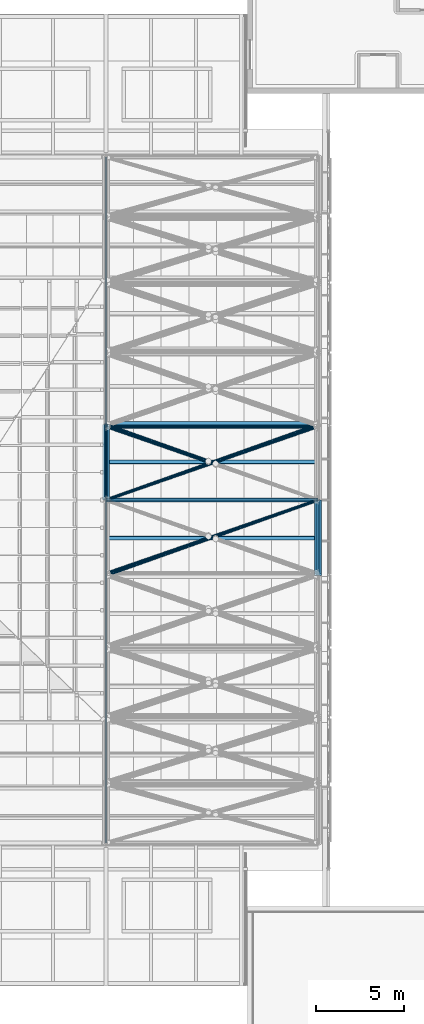
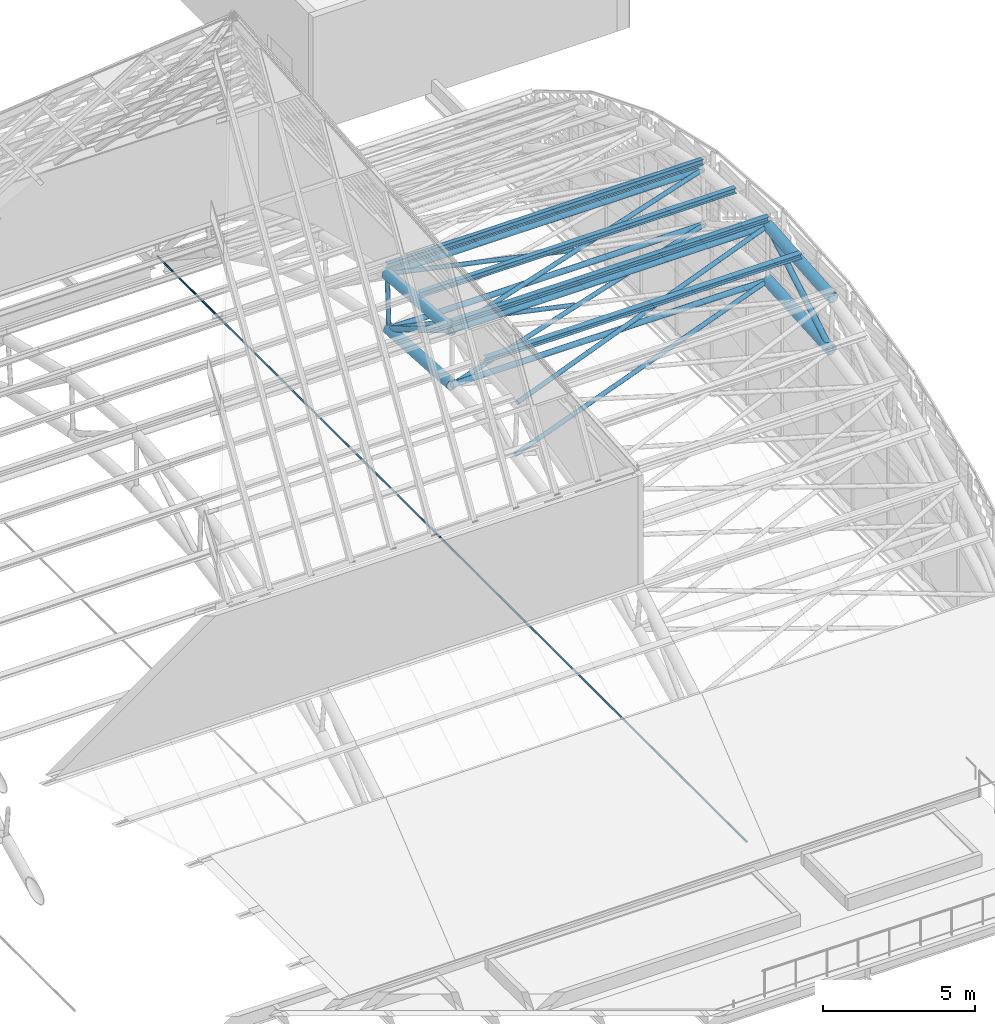
# One storey, part 36 of 110: 22 members.
"""IFC4 building model written with IfcOpenShell, lengths in metres."""

from ifc_helpers import new_model, si_unit, direction, frame, origin, origin_2d, place, context, subcontext, project, spatial, circle, hollow_circle, i_section, extrude, material, material_profile, profile_set, type_object, element, save


model = new_model("IFC4")

# Units and contexts
model_context = context("Model", 3, precision=1e-05, world=origin(), true_north=direction((0.0, 1.0)))
body_context = subcontext(model_context, "Body", "Model", "MODEL_VIEW")
ifc_project = project(units=[si_unit("LENGTHUNIT", "METRE"), si_unit("AREAUNIT", "SQUARE_METRE"), si_unit("VOLUMEUNIT", "CUBIC_METRE"), si_unit("PLANEANGLEUNIT", "RADIAN"), si_unit("MASSUNIT", "GRAM", prefix="KILO")], contexts=[model_context])

# Site, building, storey
site_placement = place(None, origin())
site = spatial("IfcSite", under=ifc_project, at=site_placement, CompositionType="ELEMENT")
building_placement = place(site_placement, origin())
building = spatial("IfcBuilding", under=site, at=building_placement, Name="Windward Yard Aquatics Centre", CompositionType="ELEMENT")
storey_placement = place(building_placement, frame((0.0, 0.0, 22.60009765625)))
storey = spatial("IfcBuildingStorey", under=building, at=storey_placement, Name="L05", CompositionType="ELEMENT", Elevation=22.60009765625)

# Members
ifc_material_1 = material(Name="Steel ASTM A500 Gr C", Category="steel")
ifc_material_profile_1 = material_profile(ifc_material_1, hollow_circle(Radius=0.084228515625, WallThickness=0.010986328125, at=origin_2d()), Name="HSS168.3X11")
ifc_profile_set_1 = profile_set([ifc_material_profile_1], Name="Steel ASTM A500 Gr C")
member_type_1 = type_object("IfcMemberType", Name="H arch post HSS168.3X11", PredefinedType="POST", material=ifc_profile_set_1)
member_1_placement = place(storey_placement, frame((132.0, 65.16064453125, 6.323486328125), z_axis=(0.0, 0.050215263417, 0.998738417865), x_axis=(-1.0, 0.0, 0.0)))
element("IfcMember", 1, at=member_1_placement, inside=storey, type_object=member_type_1, Name="H.AT.7.WP07", PredefinedType="POST", context=body_context, shape_type="SweptSolid", body=[
    extrude(hollow_circle(Radius=0.084228515625, WallThickness=0.010986328125, at=origin_2d()), origin(), (0.0, 0.0, 1.0), 2.14892578125),
])
ifc_material_profile_2 = material_profile(ifc_material_1, hollow_circle(Radius=0.203125, WallThickness=0.015869140625, at=origin_2d()), Name="HSS406.4X15.9")
ifc_profile_set_2 = profile_set([ifc_material_profile_2], Name="Steel ASTM A500 Gr C")
member_type_2 = type_object("IfcMemberType", Name="H arch top chord HSS406.4X15.9", PredefinedType="CHORD", material=ifc_profile_set_2)
member_2_placement = place(storey_placement, frame((132.0, 61.0, 8.796630859375), z_axis=(0.0, 0.997080259355, -0.076360699341), x_axis=(-1.0, 0.0, 0.0)))
element("IfcMember", 2, at=member_2_placement, inside=storey, type_object=member_type_2, Name="H.AT.7.TC06", PredefinedType="CHORD", context=body_context, shape_type="SweptSolid", body=[
    extrude(hollow_circle(Radius=0.203125, WallThickness=0.015869140625, at=origin_2d()), origin(), (0.0, 0.0, 1.0), 4.281005859375),
])
member_3_placement = place(storey_placement, frame((132.0, 61.0, 6.5966796875), z_axis=(0.0, 0.997851241995, -0.065520217098), x_axis=(-1.0, 0.0, 0.0)))
element("IfcMember", 3, at=member_3_placement, inside=storey, type_object=member_type_2, Name="H.AT.7.BC06", PredefinedType="CHORD", context=body_context, shape_type="SweptSolid", body=[
    extrude(hollow_circle(Radius=0.203125, WallThickness=0.015869140625, at=origin_2d()), origin(), (0.0, 0.0, 1.0), 4.169677734375),
])
member_4_placement = place(storey_placement, frame((144.0, 56.7314453125, 8.4697265625), z_axis=(0.0, 0.997080259355, 0.076360699341), x_axis=(-1.0, 0.0, 0.0)))
element("IfcMember", 4, at=member_4_placement, inside=storey, type_object=member_type_2, Name="H.AT.8.TC05", PredefinedType="CHORD", context=body_context, shape_type="SweptSolid", body=[
    extrude(hollow_circle(Radius=0.203125, WallThickness=0.015869140625, at=origin_2d()), origin(), (0.0, 0.0, 1.0), 4.281005859375),
])
member_5_placement = place(storey_placement, frame((144.0, 56.83935546875, 6.323486328125), z_axis=(0.0, 0.997851241995, 0.065520217098), x_axis=(-1.0, 0.0, 0.0)))
element("IfcMember", 5, at=member_5_placement, inside=storey, type_object=member_type_2, Name="H.AT.8.BC05", PredefinedType="CHORD", context=body_context, shape_type="SweptSolid", body=[
    extrude(hollow_circle(Radius=0.203125, WallThickness=0.015869140625, at=origin_2d()), origin(), (0.0, 0.0, 1.0), 4.169677734375),
])
ifc_material_profile_3 = material_profile(ifc_material_1, hollow_circle(Radius=0.109619140625, WallThickness=0.00830078125, at=origin_2d()), Name="HSS219.1X8.2")
ifc_profile_set_3 = profile_set([ifc_material_profile_3], Name="Steel ASTM A500 Gr C")
member_type_3 = type_object("IfcMemberType", Name="H arch web diagonal HSS219.1X8.2", PredefinedType="BRACE", material=ifc_profile_set_3)
for number, where, z_axis, x_axis, name in (
    (6, (132.0, 61.0, 8.796630859375), (0.0, 0.859604150376, -0.51096057055), (-1.0, 0.0, 0.0), "H.AT.7.WD06"),
    (7, (144.0, 56.83935546875, 6.323486328125), (0.0, 0.859604150376, 0.51096057055), (-1.0, 0.0, 0.0), "H.AT.8.WD05"),
):
    element("IfcMember", number, at=place(storey_placement, frame(where, z_axis=z_axis, x_axis=x_axis)), inside=storey, type_object=member_type_3, Name=name, PredefinedType="BRACE", context=body_context, shape_type="SweptSolid", body=[
        extrude(hollow_circle(Radius=0.109619140625, WallThickness=0.00830078125, at=origin_2d()), origin(), (0.0, 0.0, 1.0), 4.840087890625),
    ])
ifc_material_profile_4 = material_profile(ifc_material_1, hollow_circle(Radius=0.084228515625, WallThickness=0.007080078125, at=origin_2d()), Name="HSS168.3X7.1")
ifc_profile_set_4 = profile_set([ifc_material_profile_4], Name="Steel ASTM A500 Gr C")
member_type_4 = type_object("IfcMemberType", Name="H roof brace HSS168.3X7.1", PredefinedType="BRACE", material=ifc_profile_set_4)
for number, where, z_axis, x_axis, name in (
    (8, (132.0, 56.7314453125, 8.4697265625), (0.941857706395, 0.335030927299, 0.025658110939), (-0.335141263687, 0.942167890227, 0.0), "H.RB.7.T05A"),
    (9, (132.0, 61.0, 8.796630859375), (0.941857706395, 0.335030927299, -0.025658110939), (-0.335141263687, 0.942167890227, 0.0), "H.RB.7.T06A"),
):
    element("IfcMember", number, at=place(storey_placement, frame(where, z_axis=z_axis, x_axis=x_axis)), inside=storey, type_object=member_type_4, Name=name, PredefinedType="BRACE", context=body_context, shape_type="SweptSolid", body=[
        extrude(hollow_circle(Radius=0.084228515625, WallThickness=0.007080078125, at=origin_2d()), origin(), (0.0, 0.0, 1.0), 12.74072265625),
    ])
member_6_placement = place(storey_placement, frame((132.0, 65.2685546875, 8.4697265625), z_axis=(0.941856232178, -0.335033946384, 0.025672800363), x_axis=(0.335144410202, 0.942166770965, 0.0)))
element("IfcMember", 10, at=member_6_placement, inside=storey, type_object=member_type_4, Name="H.RB.7.T06B1", PredefinedType="BRACE", context=body_context, shape_type="SweptSolid", body=[
    extrude(hollow_circle(Radius=0.084228515625, WallThickness=0.007080078125, at=origin_2d()), origin(), (0.0, 0.0, 1.0), 6.25732421875),
])
for number, where, z_axis, x_axis, name in (
    (11, (132.0, 56.83935546875, 6.323486328125), (0.944601995666, 0.327512760623, 0.021504916039), (-0.327588517907, 0.94482049244, 0.0), "H.RB.7.B05A"),
    (12, (132.0, 61.0, 6.5966796875), (0.944601995666, 0.327512760623, -0.021504916039), (-0.327588517907, 0.94482049244, 0.0), "H.RB.7.B06A"),
):
    element("IfcMember", number, at=place(storey_placement, frame(where, z_axis=z_axis, x_axis=x_axis)), inside=storey, type_object=member_type_4, Name=name, PredefinedType="BRACE", context=body_context, shape_type="SweptSolid", body=[
        extrude(hollow_circle(Radius=0.084228515625, WallThickness=0.007080078125, at=origin_2d()), origin(), (0.0, 0.0, 1.0), 12.703857421875),
    ])
member_7_placement = place(storey_placement, frame((132.0, 65.16064453125, 6.323486328125), z_axis=(0.94459743351, -0.327524126689, 0.021532186192), x_axis=(0.327600078932, 0.944816483918, 0.0)))
element("IfcMember", 13, at=member_7_placement, inside=storey, type_object=member_type_4, Name="H.RB.7.B06B1", PredefinedType="BRACE", context=body_context, shape_type="SweptSolid", body=[
    extrude(hollow_circle(Radius=0.084228515625, WallThickness=0.007080078125, at=origin_2d()), origin(), (0.0, 0.0, 1.0), 6.236083984375),
])
ifc_material_2 = material(Name="Steel ASTM A992 Gr 50", Category="steel")
ifc_material_profile_5 = material_profile(ifc_material_2, i_section(OverallWidth=0.202880859375, OverallDepth=0.202880859375, WebThickness=0.00732421875, FlangeThickness=0.010986328125, at=origin_2d()), Name="W200X46.1")
ifc_profile_set_5 = profile_set([ifc_material_profile_5], Name="Steel ASTM A992 Gr 50")
member_type_5 = type_object("IfcMemberType", Name="H roof purlin W200X46.1", PredefinedType="PURLIN", material=ifc_profile_set_5)
for number, where, z_axis, x_axis, name in (
    (14, (132.0, 58.842529296875, 8.93701171875), (1.0, 0.0, 0.0), (0.0, 0.997080793073, 0.076353729998), "H.PU.7.10"),
    (15, (132.0, 61.0, 9.101318359375), (1.0, 0.0, 0.0), (0.0, 1.0, 0.0), "H.PU.7.11"),
    (16, (132.0, 63.157470703125, 8.93701171875), (1.0, 0.0, 0.0), (0.0, 0.997080793073, -0.076353729998), "H.PU.7.12"),
    (17, (132.0, 65.31494140625, 8.77099609375), (1.0, 0.0, 0.0), (0.0, 0.988340215831, -0.152261675321), "H.PU.7.13"),
):
    element("IfcMember", number, at=place(storey_placement, frame(where, z_axis=z_axis, x_axis=x_axis)), inside=storey, type_object=member_type_5, Name=name, PredefinedType="PURLIN", context=body_context, shape_type="SweptSolid", body=[
        extrude(i_section(OverallWidth=0.202880859375, OverallDepth=0.202880859375, WebThickness=0.00732421875, FlangeThickness=0.010986328125, at=origin_2d()), origin(), (0.0, 0.0, 1.0), 12.0),
    ])
ifc_material_profile_6 = material_profile(ifc_material_1, hollow_circle(Radius=0.109619140625, WallThickness=0.00830078125, at=origin_2d()), Name="HSS219.1X8.2")
ifc_profile_set_6 = profile_set([ifc_material_profile_6], Name="Steel ASTM A500 Gr C")
member_type_6 = type_object("IfcMemberType", Name="H roof strut HSS219.1X8.2", PredefinedType="STRUT", material=ifc_profile_set_6)
for number, where, z_axis, x_axis, name in (
    (18, (132.0, 61.0, 8.796630859375), (1.0, 0.0, 0.0), (0.0, 1.0, 0.0), "H.RS.7.T06"),
    (19, (132.0, 65.2685546875, 8.4697265625), (1.0, 0.0, 0.0), (0.0, 1.0, 0.0), "H.RS.7.T07"),
    (20, (132.0, 61.0, 6.5966796875), (1.0, 0.0, 0.0), (0.0, 1.0, 0.0), "H.RS.7.B06"),
    (21, (132.0, 65.16064453125, 6.323486328125), (1.0, 0.0, 0.0), (0.0, 1.0, 0.0), "H.RS.7.B07"),
):
    element("IfcMember", number, at=place(storey_placement, frame(where, z_axis=z_axis, x_axis=x_axis)), inside=storey, type_object=member_type_6, Name=name, PredefinedType="STRUT", context=body_context, shape_type="SweptSolid", body=[
        extrude(hollow_circle(Radius=0.109619140625, WallThickness=0.00830078125, at=origin_2d()), origin(), (0.0, 0.0, 1.0), 12.0),
    ])
ifc_material_3 = material(Name="Steel ASTM A36", Category="steel")
ifc_material_profile_7 = material_profile(ifc_material_3, circle(Radius=0.0380859375, at=origin_2d()), Name="ROD76")
ifc_profile_set_7 = profile_set([ifc_material_profile_7], Name="Steel ASTM A36")
member_type_7 = type_object("IfcMemberType", Name="H tie rod ROD76", PredefinedType="STRUT", material=ifc_profile_set_7)
member_8_placement = place(storey_placement, frame((132.0, 41.60009765625, 0.0), z_axis=(0.0, 1.0, 0.0), x_axis=(-1.0, 0.0, 0.0)))
element("IfcMember", 22, at=member_8_placement, inside=storey, type_object=member_type_7, Name="H.AT.7.TR", PredefinedType="STRUT", context=body_context, shape_type="SweptSolid", body=[
    extrude(circle(Radius=0.0380859375, at=origin_2d()), origin(), (0.0, 0.0, 1.0), 38.7998046875),
])

save(model, "model.ifc")
